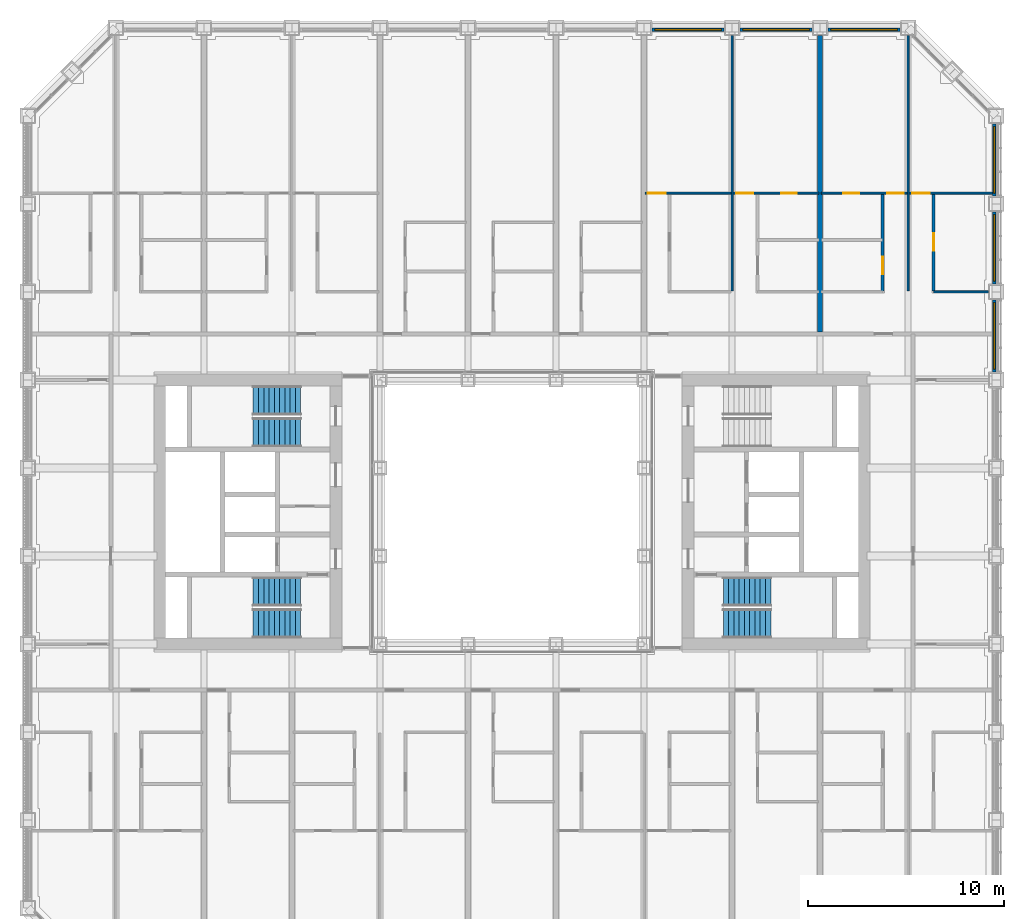
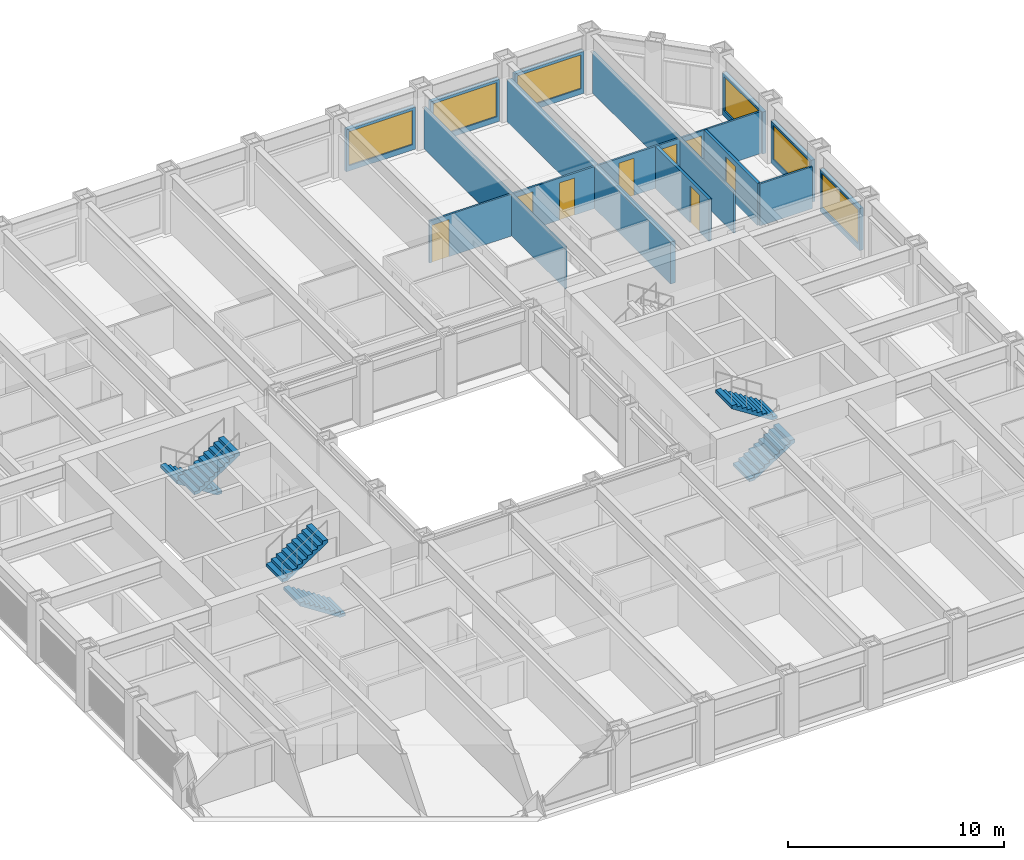
# One storey, part 15 of 21: 16 walls, 8 doors, 6 stair flights, 6 windows, 14 openings, 3 elements without a shape of their own.
"""IFC4 building model written with IfcOpenShell, lengths in metres."""

from ifc_helpers import new_model, si_unit, direction, frame, frame_2d, origin, place, context, subcontext, project, spatial, polyline, rectangle, outline, extrude, material, layer, layer_set, type_object, element, fill, aggregate, save


model = new_model("IFC4")

# Units and contexts
model_context = context("Model", 3, precision=1e-05, world=origin(), true_north=direction((0.0, 1.0)))
body_context = subcontext(model_context, "Body", "Model", "MODEL_VIEW")
ifc_project = project(units=[si_unit("LENGTHUNIT", "METRE"), si_unit("AREAUNIT", "SQUARE_METRE"), si_unit("VOLUMEUNIT", "CUBIC_METRE"), si_unit("PLANEANGLEUNIT", "RADIAN"), si_unit("MASSUNIT", "GRAM", prefix="KILO")], contexts=[model_context])

# Site, building, storey
site_placement = place(None, origin())
site = spatial("IfcSite", under=ifc_project, at=site_placement, CompositionType="ELEMENT")
building_placement = place(site_placement, origin())
building = spatial("IfcBuilding", under=site, at=building_placement, Name="Msasa Ring Tower", CompositionType="ELEMENT")
storey_placement = place(building_placement, frame((0.0, 0.0, 37.0)))
storey = spatial("IfcBuildingStorey", under=building, at=storey_placement, Name="L08", CompositionType="ELEMENT", Elevation=37.0)

# Wall, opening, window
ifc_material_1 = material(Name="Terracotta rainscreen on blockwork", Category="masonry")
ifc_layer_1 = layer(ifc_material_1, 0.199951171875)
ifc_layer_set_1 = layer_set([ifc_layer_1], Name="FW1 TERRACOTTA-LINED INFILL BAY WALL 200")
wall_type_1 = type_object("IfcWallType", Name="FW1 TERRACOTTA-LINED INFILL BAY WALL 200", PredefinedType="SOLIDWALL", material=ifc_layer_set_1)
wall_1_placement = place(storey_placement, frame((24.64990234375, 7.155029296875, 0.0), z_axis=(0.0, 0.0, 1.0), x_axis=(0.0, 1.0, 0.0)))
wall_1 = element("IfcWall", 1, at=wall_1_placement, inside=storey, type_object=wall_type_1, Name="Infill bay wall E L08 17", PredefinedType="SOLIDWALL", context=body_context, shape_type="SweptSolid", body=[
    extrude(rectangle(XDim=3.68994140625, YDim=0.199951171875, at=frame_2d((1.844970703125, 0.0))), origin(), (0.0, 0.0, 1.0), 2.37890625),
])
opening_1_placement = place(wall_1_placement, frame((0.14501953125, 0.0, 0.300048828125)))
opening_1 = element("IfcOpeningElement", 2, at=opening_1_placement, cuts=wall_1, Name="Opening WN1", PredefinedType="OPENING", context=body_context, shape_type="SweptSolid", body=[
    extrude(rectangle(XDim=3.39990234375, YDim=1.928955078125, at=frame_2d((1.699951171875, 0.96435546875))), frame((0.0, 0.10986328125, 0.0), z_axis=(0.0, -1.0, 0.0), x_axis=(1.0, 0.0, 0.0)), (0.0, 0.0, 1.0), 0.219970703125),
])
ifc_material_2 = material(Name="Aluminium frame with clear glass", Category="aluminium")
window_type = type_object("IfcWindowType", Name="WN1 RESIDENCE WINDOW 3400x1929", PartitioningType="SINGLE_PANEL", PredefinedType="WINDOW", material=ifc_material_2)
window_1_placement = place(opening_1_placement, origin())
window_1 = element("IfcWindow", 3, at=window_1_placement, inside=storey, type_object=window_type, Name="Window E L08 17", OverallHeight=1.928955078125, OverallWidth=3.39990234375, PartitioningType="SINGLE_PANEL", PredefinedType="WINDOW", context=body_context, shape_type="SweptSolid", body=[
    extrude(rectangle(XDim=3.39990234375, YDim=1.928955078125, at=frame_2d((1.699951171875, 0.96435546875))), frame((0.0, 0.030029296875, 0.0), z_axis=(0.0, -1.0, 0.0), x_axis=(1.0, 0.0, 0.0)), (0.0, 0.0, 1.0), 0.06005859375),
])
fill(opening_1, window_1)

wall_2_placement = place(storey_placement, frame((24.64990234375, 11.655029296875, 0.0), z_axis=(0.0, 0.0, 1.0), x_axis=(0.0, 1.0, 0.0)))
wall_2 = element("IfcWall", 4, at=wall_2_placement, inside=storey, type_object=wall_type_1, Name="Infill bay wall E L08 18", PredefinedType="SOLIDWALL", context=body_context, shape_type="SweptSolid", body=[
    extrude(rectangle(XDim=3.68994140625, YDim=0.199951171875, at=frame_2d((1.844970703125, 0.0))), origin(), (0.0, 0.0, 1.0), 2.37890625),
])
opening_2_placement = place(wall_2_placement, frame((0.14501953125, 0.0, 0.300048828125)))
opening_2 = element("IfcOpeningElement", 5, at=opening_2_placement, cuts=wall_2, Name="Opening WN1", PredefinedType="OPENING", context=body_context, shape_type="SweptSolid", body=[
    extrude(rectangle(XDim=3.39990234375, YDim=1.928955078125, at=frame_2d((1.699951171875, 0.96435546875))), frame((0.0, 0.10986328125, 0.0), z_axis=(0.0, -1.0, 0.0), x_axis=(1.0, 0.0, 0.0)), (0.0, 0.0, 1.0), 0.219970703125),
])
window_2_placement = place(opening_2_placement, origin())
window_2 = element("IfcWindow", 6, at=window_2_placement, inside=storey, type_object=window_type, Name="Window E L08 18", OverallHeight=1.928955078125, OverallWidth=3.39990234375, PartitioningType="SINGLE_PANEL", PredefinedType="WINDOW", context=body_context, shape_type="SweptSolid", body=[
    extrude(rectangle(XDim=3.39990234375, YDim=1.928955078125, at=frame_2d((1.699951171875, 0.96435546875))), frame((0.0, 0.030029296875, 0.0), z_axis=(0.0, -1.0, 0.0), x_axis=(1.0, 0.0, 0.0)), (0.0, 0.0, 1.0), 0.06005859375),
])
fill(opening_2, window_2)

wall_3_placement = place(storey_placement, frame((24.64990234375, 16.155029296875, 0.0), z_axis=(0.0, 0.0, 1.0), x_axis=(0.0, 1.0, 0.0)))
wall_3 = element("IfcWall", 7, at=wall_3_placement, inside=storey, type_object=wall_type_1, Name="Infill bay wall E L08 19", PredefinedType="SOLIDWALL", context=body_context, shape_type="SweptSolid", body=[
    extrude(rectangle(XDim=3.68994140625, YDim=0.199951171875, at=frame_2d((1.844970703125, 0.0))), origin(), (0.0, 0.0, 1.0), 2.37890625),
])
opening_3_placement = place(wall_3_placement, frame((0.14501953125, 0.0, 0.300048828125)))
opening_3 = element("IfcOpeningElement", 8, at=opening_3_placement, cuts=wall_3, Name="Opening WN1", PredefinedType="OPENING", context=body_context, shape_type="SweptSolid", body=[
    extrude(rectangle(XDim=3.39990234375, YDim=1.928955078125, at=frame_2d((1.699951171875, 0.96435546875))), frame((0.0, 0.10986328125, 0.0), z_axis=(0.0, -1.0, 0.0), x_axis=(1.0, 0.0, 0.0)), (0.0, 0.0, 1.0), 0.219970703125),
])
window_3_placement = place(opening_3_placement, origin())
window_3 = element("IfcWindow", 9, at=window_3_placement, inside=storey, type_object=window_type, Name="Window E L08 19", OverallHeight=1.928955078125, OverallWidth=3.39990234375, PartitioningType="SINGLE_PANEL", PredefinedType="WINDOW", context=body_context, shape_type="SweptSolid", body=[
    extrude(rectangle(XDim=3.39990234375, YDim=1.928955078125, at=frame_2d((1.699951171875, 0.96435546875))), frame((0.0, 0.030029296875, 0.0), z_axis=(0.0, -1.0, 0.0), x_axis=(1.0, 0.0, 0.0)), (0.0, 0.0, 1.0), 0.06005859375),
])
fill(opening_3, window_3)

wall_4_placement = place(storey_placement, frame((7.155029296875, 24.64990234375, 0.0), z_axis=(0.0, 0.0, 1.0), x_axis=(1.0, 0.0, 0.0)))
wall_4 = element("IfcWall", 10, at=wall_4_placement, inside=storey, type_object=wall_type_1, Name="Infill bay wall N L08 28", PredefinedType="SOLIDWALL", context=body_context, shape_type="SweptSolid", body=[
    extrude(rectangle(XDim=3.68994140625, YDim=0.199951171875, at=frame_2d((1.844970703125, 0.0))), origin(), (0.0, 0.0, 1.0), 2.37890625),
])
opening_4_placement = place(wall_4_placement, frame((0.14501953125, 0.0, 0.300048828125)))
opening_4 = element("IfcOpeningElement", 11, at=opening_4_placement, cuts=wall_4, Name="Opening WN1", PredefinedType="OPENING", context=body_context, shape_type="SweptSolid", body=[
    extrude(rectangle(XDim=3.39990234375, YDim=1.928955078125, at=frame_2d((1.699951171875, 0.96435546875))), frame((0.0, 0.10986328125, 0.0), z_axis=(0.0, -1.0, 0.0), x_axis=(1.0, 0.0, 0.0)), (0.0, 0.0, 1.0), 0.219970703125),
])
window_4_placement = place(opening_4_placement, origin())
window_4 = element("IfcWindow", 12, at=window_4_placement, inside=storey, type_object=window_type, Name="Window N L08 28", OverallHeight=1.928955078125, OverallWidth=3.39990234375, PartitioningType="SINGLE_PANEL", PredefinedType="WINDOW", context=body_context, shape_type="SweptSolid", body=[
    extrude(rectangle(XDim=3.39990234375, YDim=1.928955078125, at=frame_2d((1.699951171875, 0.96435546875))), frame((0.0, 0.030029296875, 0.0), z_axis=(0.0, -1.0, 0.0), x_axis=(1.0, 0.0, 0.0)), (0.0, 0.0, 1.0), 0.06005859375),
])
fill(opening_4, window_4)

wall_5_placement = place(storey_placement, frame((11.655029296875, 24.64990234375, 0.0), z_axis=(0.0, 0.0, 1.0), x_axis=(1.0, 0.0, 0.0)))
wall_5 = element("IfcWall", 13, at=wall_5_placement, inside=storey, type_object=wall_type_1, Name="Infill bay wall N L08 29", PredefinedType="SOLIDWALL", context=body_context, shape_type="SweptSolid", body=[
    extrude(rectangle(XDim=3.68994140625, YDim=0.199951171875, at=frame_2d((1.844970703125, 0.0))), origin(), (0.0, 0.0, 1.0), 2.37890625),
])
opening_5_placement = place(wall_5_placement, frame((0.14501953125, 0.0, 0.300048828125)))
opening_5 = element("IfcOpeningElement", 14, at=opening_5_placement, cuts=wall_5, Name="Opening WN1", PredefinedType="OPENING", context=body_context, shape_type="SweptSolid", body=[
    extrude(rectangle(XDim=3.39990234375, YDim=1.928955078125, at=frame_2d((1.699951171875, 0.96435546875))), frame((0.0, 0.10986328125, 0.0), z_axis=(0.0, -1.0, 0.0), x_axis=(1.0, 0.0, 0.0)), (0.0, 0.0, 1.0), 0.219970703125),
])
window_5_placement = place(opening_5_placement, origin())
window_5 = element("IfcWindow", 15, at=window_5_placement, inside=storey, type_object=window_type, Name="Window N L08 29", OverallHeight=1.928955078125, OverallWidth=3.39990234375, PartitioningType="SINGLE_PANEL", PredefinedType="WINDOW", context=body_context, shape_type="SweptSolid", body=[
    extrude(rectangle(XDim=3.39990234375, YDim=1.928955078125, at=frame_2d((1.699951171875, 0.96435546875))), frame((0.0, 0.030029296875, 0.0), z_axis=(0.0, -1.0, 0.0), x_axis=(1.0, 0.0, 0.0)), (0.0, 0.0, 1.0), 0.06005859375),
])
fill(opening_5, window_5)

wall_6_placement = place(storey_placement, frame((16.155029296875, 24.64990234375, 0.0), z_axis=(0.0, 0.0, 1.0), x_axis=(1.0, 0.0, 0.0)))
wall_6 = element("IfcWall", 16, at=wall_6_placement, inside=storey, type_object=wall_type_1, Name="Infill bay wall N L08 30", PredefinedType="SOLIDWALL", context=body_context, shape_type="SweptSolid", body=[
    extrude(rectangle(XDim=3.68994140625, YDim=0.199951171875, at=frame_2d((1.844970703125, 0.0))), origin(), (0.0, 0.0, 1.0), 2.37890625),
])
opening_6_placement = place(wall_6_placement, frame((0.14501953125, 0.0, 0.300048828125)))
opening_6 = element("IfcOpeningElement", 17, at=opening_6_placement, cuts=wall_6, Name="Opening WN1", PredefinedType="OPENING", context=body_context, shape_type="SweptSolid", body=[
    extrude(rectangle(XDim=3.39990234375, YDim=1.928955078125, at=frame_2d((1.699951171875, 0.96435546875))), frame((0.0, 0.10986328125, 0.0), z_axis=(0.0, -1.0, 0.0), x_axis=(1.0, 0.0, 0.0)), (0.0, 0.0, 1.0), 0.219970703125),
])
window_6_placement = place(opening_6_placement, origin())
window_6 = element("IfcWindow", 18, at=window_6_placement, inside=storey, type_object=window_type, Name="Window N L08 30", OverallHeight=1.928955078125, OverallWidth=3.39990234375, PartitioningType="SINGLE_PANEL", PredefinedType="WINDOW", context=body_context, shape_type="SweptSolid", body=[
    extrude(rectangle(XDim=3.39990234375, YDim=1.928955078125, at=frame_2d((1.699951171875, 0.96435546875))), frame((0.0, 0.030029296875, 0.0), z_axis=(0.0, -1.0, 0.0), x_axis=(1.0, 0.0, 0.0)), (0.0, 0.0, 1.0), 0.06005859375),
])
fill(opening_6, window_6)

# Wall, opening, door
ifc_material_3 = material(Name="Gypsum board on steel studs", Category="steel")
ifc_layer_2 = layer(ifc_material_3, 0.10009765625)
ifc_layer_set_2 = layer_set([ifc_layer_2], Name="PT2 STUD PARTITION 100")
wall_type_2 = type_object("IfcWallType", Name="PT2 STUD PARTITION 100", PredefinedType="PARTITIONING", material=ifc_layer_set_2)
wall_7_placement = place(storey_placement, frame((6.81005859375, 16.300048828125, 0.0), z_axis=(0.0, 0.0, 1.0), x_axis=(1.0, 0.0, 0.0)))
wall_7 = element("IfcWall", 19, at=wall_7_placement, inside=storey, type_object=wall_type_2, Name="Partition L08-UN05SY0", PredefinedType="PARTITIONING", context=body_context, shape_type="SweptSolid", body=[
    extrude(rectangle(XDim=4.389892578125, YDim=0.10009765625, at=frame_2d((2.19482421875, 0.0))), origin(), (0.0, 0.0, 1.0), 2.373291015625),
])
opening_7_placement = place(wall_7_placement, frame((0.139892578125, 0.0, 0.0)))
opening_7 = element("IfcOpeningElement", 20, at=opening_7_placement, cuts=wall_7, Name="Opening RB-007", PredefinedType="OPENING", context=body_context, shape_type="SweptSolid", body=[
    extrude(rectangle(XDim=0.89990234375, YDim=2.10009765625, at=frame_2d((0.449951171875, 1.050048828125))), frame((0.0, 0.06005859375, 0.0), z_axis=(0.0, -1.0, 0.0), x_axis=(1.0, 0.0, 0.0)), (0.0, 0.0, 1.0), 0.1201171875),
])
ifc_material_4 = material(Name="Timber door leaf in a steel frame", Category="steel")
door_type_1 = type_object("IfcDoorType", Name="D22 INTERNAL HALL DOOR 900x2100", OperationType="SINGLE_SWING_LEFT", PredefinedType="DOOR", material=ifc_material_4)
door_1_placement = place(opening_7_placement, origin())
door_1 = element("IfcDoor", 21, at=door_1_placement, inside=storey, type_object=door_type_1, Name="Door L08-UN05L", OperationType="SINGLE_SWING_LEFT", OverallHeight=2.10009765625, OverallWidth=0.89990234375, PredefinedType="DOOR", context=body_context, shape_type="SweptSolid", body=[
    extrude(rectangle(XDim=0.89990234375, YDim=2.10009765625, at=frame_2d((0.449951171875, 1.050048828125))), frame((0.0, 0.02490234375, 0.0), z_axis=(0.0, -1.0, 0.0), x_axis=(1.0, 0.0, 0.0)), (0.0, 0.0, 1.0), 0.050048828125),
])
fill(opening_7, door_1)

# Wall
wall_8_placement = place(storey_placement, frame((11.25, 11.300048828125, 0.0), z_axis=(0.0, 0.0, 1.0), x_axis=(0.0, 1.0, 0.0)))
element("IfcWall", 22, at=wall_8_placement, inside=storey, type_object=wall_type_2, Name="Partition L08-UN05P1", PredefinedType="PARTITIONING", context=body_context, shape_type="SweptSolid", body=[
    extrude(rectangle(XDim=13.050048828125, YDim=0.10009765625, at=frame_2d((6.52490234375, 0.0))), origin(), (0.0, 0.0, 1.0), 2.373291015625),
])

# Wall, openings, doors
wall_9_placement = place(storey_placement, frame((11.300048828125, 16.300048828125, 0.0), z_axis=(0.0, 0.0, 1.0), x_axis=(1.0, 0.0, 0.0)))
wall_9 = element("IfcWall", 23, at=wall_9_placement, inside=storey, type_object=wall_type_2, Name="Partition L08-UN05SY1", PredefinedType="PARTITIONING", context=body_context, shape_type="SweptSolid", body=[
    extrude(rectangle(XDim=4.389892578125, YDim=0.10009765625, at=frame_2d((2.19482421875, 0.0))), origin(), (0.0, 0.0, 1.0), 2.373291015625),
])
opening_8_placement = place(wall_9_placement, frame((0.175048828125, 0.0, 0.0)))
opening_8 = element("IfcOpeningElement", 24, at=opening_8_placement, cuts=wall_9, Name="Opening RB-008", PredefinedType="OPENING", context=body_context, shape_type="SweptSolid", body=[
    extrude(rectangle(XDim=0.85009765625, YDim=2.10009765625, at=frame_2d((0.425048828125, 1.050048828125))), frame((0.0, 0.06005859375, 0.0), z_axis=(0.0, -1.0, 0.0), x_axis=(1.0, 0.0, 0.0)), (0.0, 0.0, 1.0), 0.1201171875),
])
opening_9_placement = place(wall_9_placement, frame((2.4599609375, 0.0, 0.0)))
opening_9 = element("IfcOpeningElement", 25, at=opening_9_placement, cuts=wall_9, Name="Opening RB-009", PredefinedType="OPENING", context=body_context, shape_type="SweptSolid", body=[
    extrude(rectangle(XDim=0.800048828125, YDim=2.10009765625, at=frame_2d((0.39990234375, 1.050048828125))), frame((0.0, 0.06005859375, 0.0), z_axis=(0.0, -1.0, 0.0), x_axis=(1.0, 0.0, 0.0)), (0.0, 0.0, 1.0), 0.1201171875),
])
ifc_material_5 = material(Name="Timber door leaf in a steel frame", Category="steel")
door_type_2 = type_object("IfcDoorType", Name="D14 BEDROOM DOOR 850x2100", OperationType="SINGLE_SWING_LEFT", PredefinedType="DOOR", material=ifc_material_5)
door_2_placement = place(opening_8_placement, origin())
door_2 = element("IfcDoor", 26, at=door_2_placement, inside=storey, type_object=door_type_2, Name="Door L08-UN05R1", OperationType="SINGLE_SWING_LEFT", OverallHeight=2.10009765625, OverallWidth=0.85009765625, PredefinedType="DOOR", context=body_context, shape_type="SweptSolid", body=[
    extrude(rectangle(XDim=0.85009765625, YDim=2.10009765625, at=frame_2d((0.425048828125, 1.050048828125))), frame((0.0, 0.02490234375, 0.0), z_axis=(0.0, -1.0, 0.0), x_axis=(1.0, 0.0, 0.0)), (0.0, 0.0, 1.0), 0.050048828125),
])
fill(opening_8, door_2)
ifc_material_6 = material(Name="Timber door leaf in a steel frame", Category="steel")
door_type_3 = type_object("IfcDoorType", Name="D60 DRESSING ROOM DOOR 800x2100", OperationType="SINGLE_SWING_LEFT", PredefinedType="DOOR", material=ifc_material_6)
door_3_placement = place(opening_9_placement, origin())
door_3 = element("IfcDoor", 27, at=door_3_placement, inside=storey, type_object=door_type_3, Name="Door L08-UN05W1", OperationType="SINGLE_SWING_RIGHT", OverallHeight=2.10009765625, OverallWidth=0.800048828125, PredefinedType="DOOR", context=body_context, shape_type="SweptSolid", body=[
    extrude(rectangle(XDim=0.800048828125, YDim=2.10009765625, at=frame_2d((0.39990234375, 1.050048828125))), frame((0.0, 0.02490234375, 0.0), z_axis=(0.0, -1.0, 0.0), x_axis=(1.0, 0.0, 0.0)), (0.0, 0.0, 1.0), 0.050048828125),
])
fill(opening_9, door_3)

# Wall
wall_10_placement = place(storey_placement, frame((21.550048828125, 11.25, 0.0), z_axis=(0.0, 0.0, 1.0), x_axis=(1.0, 0.0, 0.0)))
element("IfcWall", 28, at=wall_10_placement, inside=storey, type_object=wall_type_2, Name="Partition L08-UN06HY0", PredefinedType="PARTITIONING", context=body_context, shape_type="SweptSolid", body=[
    extrude(rectangle(XDim=2.800048828125, YDim=0.10009765625, at=frame_2d((1.39990234375, 0.0))), origin(), (0.0, 0.0, 1.0), 2.373291015625),
])

# Wall, opening, door
wall_11_placement = place(storey_placement, frame((20.300048828125, 16.300048828125, 0.0), z_axis=(0.0, 0.0, 1.0), x_axis=(1.0, 0.0, 0.0)))
wall_11 = element("IfcWall", 29, at=wall_11_placement, inside=storey, type_object=wall_type_2, Name="Partition L08-UN06SY0", PredefinedType="PARTITIONING", context=body_context, shape_type="SweptSolid", body=[
    extrude(rectangle(XDim=4.25, YDim=0.10009765625, at=frame_2d((2.125, 0.0))), origin(), (0.0, 0.0, 1.0), 2.373291015625),
])
opening_10_placement = place(wall_11_placement, frame((0.14990234375, 0.0, 0.0)))
opening_10 = element("IfcOpeningElement", 30, at=opening_10_placement, cuts=wall_11, Name="Opening RB-012", PredefinedType="OPENING", context=body_context, shape_type="SweptSolid", body=[
    extrude(rectangle(XDim=0.89990234375, YDim=2.10009765625, at=frame_2d((0.449951171875, 1.050048828125))), frame((0.0, 0.06005859375, 0.0), z_axis=(0.0, -1.0, 0.0), x_axis=(1.0, 0.0, 0.0)), (0.0, 0.0, 1.0), 0.1201171875),
])
door_4_placement = place(opening_10_placement, origin())
door_4 = element("IfcDoor", 31, at=door_4_placement, inside=storey, type_object=door_type_1, Name="Door L08-UN06L", OperationType="SINGLE_SWING_LEFT", OverallHeight=2.10009765625, OverallWidth=0.89990234375, PredefinedType="DOOR", context=body_context, shape_type="SweptSolid", body=[
    extrude(rectangle(XDim=0.89990234375, YDim=2.10009765625, at=frame_2d((0.449951171875, 1.050048828125))), frame((0.0, 0.02490234375, 0.0), z_axis=(0.0, -1.0, 0.0), x_axis=(1.0, 0.0, 0.0)), (0.0, 0.0, 1.0), 0.050048828125),
])
fill(opening_10, door_4)

# Wall
wall_12_placement = place(storey_placement, frame((20.25, 11.300048828125, 0.0), z_axis=(0.0, 0.0, 1.0), x_axis=(0.0, 1.0, 0.0)))
element("IfcWall", 32, at=wall_12_placement, inside=storey, type_object=wall_type_2, Name="Partition L08-UN06P1", PredefinedType="PARTITIONING", context=body_context, shape_type="SweptSolid", body=[
    extrude(rectangle(XDim=13.050048828125, YDim=0.10009765625, at=frame_2d((6.52490234375, 0.0))), origin(), (0.0, 0.0, 1.0), 2.373291015625),
])

# Wall, openings, doors
wall_13_placement = place(storey_placement, frame((15.81005859375, 16.300048828125, 0.0), z_axis=(0.0, 0.0, 1.0), x_axis=(1.0, 0.0, 0.0)))
wall_13 = element("IfcWall", 33, at=wall_13_placement, inside=storey, type_object=wall_type_2, Name="Partition L08-UN06SY1", PredefinedType="PARTITIONING", context=body_context, shape_type="SweptSolid", body=[
    extrude(rectangle(XDim=4.389892578125, YDim=0.10009765625, at=frame_2d((2.19482421875, 0.0))), origin(), (0.0, 0.0, 1.0), 2.373291015625),
])
opening_11_placement = place(wall_13_placement, frame((3.364990234375, 0.0, 0.0)))
opening_11 = element("IfcOpeningElement", 34, at=opening_11_placement, cuts=wall_13, Name="Opening RB-011", PredefinedType="OPENING", context=body_context, shape_type="SweptSolid", body=[
    extrude(rectangle(XDim=0.85009765625, YDim=2.10009765625, at=frame_2d((0.425048828125, 1.050048828125))), frame((0.0, 0.06005859375, 0.0), z_axis=(0.0, -1.0, 0.0), x_axis=(1.0, 0.0, 0.0)), (0.0, 0.0, 1.0), 0.1201171875),
])
opening_12_placement = place(wall_13_placement, frame((1.1298828125, 0.0, 0.0)))
opening_12 = element("IfcOpeningElement", 35, at=opening_12_placement, cuts=wall_13, Name="Opening RB-010", PredefinedType="OPENING", context=body_context, shape_type="SweptSolid", body=[
    extrude(rectangle(XDim=0.800048828125, YDim=2.10009765625, at=frame_2d((0.39990234375, 1.050048828125))), frame((0.0, 0.06005859375, 0.0), z_axis=(0.0, -1.0, 0.0), x_axis=(1.0, 0.0, 0.0)), (0.0, 0.0, 1.0), 0.1201171875),
])
door_5_placement = place(opening_11_placement, origin())
door_5 = element("IfcDoor", 36, at=door_5_placement, inside=storey, type_object=door_type_2, Name="Door L08-UN06R1", OperationType="SINGLE_SWING_RIGHT", OverallHeight=2.10009765625, OverallWidth=0.85009765625, PredefinedType="DOOR", context=body_context, shape_type="SweptSolid", body=[
    extrude(rectangle(XDim=0.85009765625, YDim=2.10009765625, at=frame_2d((0.425048828125, 1.050048828125))), frame((0.0, 0.02490234375, 0.0), z_axis=(0.0, -1.0, 0.0), x_axis=(1.0, 0.0, 0.0)), (0.0, 0.0, 1.0), 0.050048828125),
])
fill(opening_11, door_5)
door_6_placement = place(opening_12_placement, origin())
door_6 = element("IfcDoor", 37, at=door_6_placement, inside=storey, type_object=door_type_3, Name="Door L08-UN06W1", OperationType="SINGLE_SWING_LEFT", OverallHeight=2.10009765625, OverallWidth=0.800048828125, PredefinedType="DOOR", context=body_context, shape_type="SweptSolid", body=[
    extrude(rectangle(XDim=0.800048828125, YDim=2.10009765625, at=frame_2d((0.39990234375, 1.050048828125))), frame((0.0, 0.02490234375, 0.0), z_axis=(0.0, -1.0, 0.0), x_axis=(1.0, 0.0, 0.0)), (0.0, 0.0, 1.0), 0.050048828125),
])
fill(opening_12, door_6)

# Wall
ifc_material_7 = material(Name="Dense concrete blockwork, plastered both faces", Category="masonry")
ifc_layer_3 = layer(ifc_material_7, 0.25)
ifc_layer_set_3 = layer_set([ifc_layer_3], Name="PT3 APARTMENT SEPARATING WALL 250")
wall_type_3 = type_object("IfcWallType", Name="PT3 APARTMENT SEPARATING WALL 250", PredefinedType="PARTITIONING", material=ifc_layer_set_3)
wall_14_placement = place(storey_placement, frame((15.75, 9.199951171875, 0.0), z_axis=(0.0, 0.0, 1.0), x_axis=(0.0, 1.0, 0.0)))
element("IfcWall", 38, at=wall_14_placement, inside=storey, type_object=wall_type_3, Name="Party wall L08-PWN+15.75", PredefinedType="PARTITIONING", context=body_context, shape_type="SweptSolid", body=[
    extrude(rectangle(XDim=15.150146484375, YDim=0.25, at=frame_2d((7.5751953125, 0.0))), origin(), (0.0, 0.0, 1.0), 2.373291015625),
])

# Wall, opening, door
ifc_material_8 = material(Name="Moisture-resistant board on steel studs with a concealed cistern and pipe void, tiled", Category="steel")
ifc_layer_4 = layer(ifc_material_8, 0.14990234375)
ifc_layer_set_4 = layer_set([ifc_layer_4], Name="PT4 BATHROOM WET WALL 150")
wall_type_4 = type_object("IfcWallType", Name="PT4 BATHROOM WET WALL 150", PredefinedType="PARTITIONING", material=ifc_layer_set_4)
wall_15_placement = place(storey_placement, frame((21.550048828125, 11.300048828125, 0.0), z_axis=(0.0, 0.0, 1.0), x_axis=(0.0, 1.0, 0.0)))
wall_15 = element("IfcWall", 39, at=wall_15_placement, inside=storey, type_object=wall_type_4, Name="Partition L08-UN06SX0", PredefinedType="PARTITIONING", context=body_context, shape_type="SweptSolid", body=[
    extrude(rectangle(XDim=5.0, YDim=0.14990234375, at=frame_2d((2.5, 0.0))), origin(), (0.0, 0.0, 1.0), 2.373291015625),
])
opening_13_placement = place(wall_15_placement, frame((2.050048828125, 0.0, 0.0)))
opening_13 = element("IfcOpeningElement", 40, at=opening_13_placement, cuts=wall_15, Name="Opening RB-016", PredefinedType="OPENING", context=body_context, shape_type="SweptSolid", body=[
    extrude(rectangle(XDim=0.89990234375, YDim=2.10009765625, at=frame_2d((0.449951171875, 1.050048828125))), frame((0.0, 0.0849609375, 0.0), z_axis=(0.0, -1.0, 0.0), x_axis=(1.0, 0.0, 0.0)), (0.0, 0.0, 1.0), 0.169921875),
])
door_7_placement = place(opening_13_placement, origin())
door_7 = element("IfcDoor", 41, at=door_7_placement, inside=storey, type_object=door_type_1, Name="Door L08-UN06K", OperationType="SINGLE_SWING_LEFT", OverallHeight=2.10009765625, OverallWidth=0.89990234375, PredefinedType="DOOR", context=body_context, shape_type="SweptSolid", body=[
    extrude(rectangle(XDim=0.89990234375, YDim=2.10009765625, at=frame_2d((0.449951171875, 1.050048828125))), frame((0.0, 0.02490234375, 0.0), z_axis=(0.0, -1.0, 0.0), x_axis=(1.0, 0.0, 0.0)), (0.0, 0.0, 1.0), 0.050048828125),
])
fill(opening_13, door_7)

wall_16_placement = place(storey_placement, frame((18.949951171875, 11.300048828125, 0.0), z_axis=(0.0, 0.0, 1.0), x_axis=(0.0, 1.0, 0.0)))
wall_16 = element("IfcWall", 42, at=wall_16_placement, inside=storey, type_object=wall_type_4, Name="Partition L08-UN06SX1", PredefinedType="PARTITIONING", context=body_context, shape_type="SweptSolid", body=[
    extrude(rectangle(XDim=5.0, YDim=0.14990234375, at=frame_2d((2.5, 0.0))), origin(), (0.0, 0.0, 1.0), 2.373291015625),
])
opening_14_placement = place(wall_16_placement, frame((0.85009765625, 0.0, 0.0)))
opening_14 = element("IfcOpeningElement", 43, at=opening_14_placement, cuts=wall_16, Name="Opening RB-023", PredefinedType="OPENING", context=body_context, shape_type="SweptSolid", body=[
    extrude(rectangle(XDim=0.89990234375, YDim=2.10009765625, at=frame_2d((0.449951171875, 1.050048828125))), frame((0.0, 0.0849609375, 0.0), z_axis=(0.0, -1.0, 0.0), x_axis=(1.0, 0.0, 0.0)), (0.0, 0.0, 1.0), 0.169921875),
])
ifc_material_9 = material(Name="Timber door leaf in a steel frame", Category="steel")
door_type_4 = type_object("IfcDoorType", Name="D3 BATHROOM DOOR 900x2100", OperationType="SINGLE_SWING_LEFT", PredefinedType="DOOR", material=ifc_material_9)
door_8_placement = place(opening_14_placement, origin())
door_8 = element("IfcDoor", 44, at=door_8_placement, inside=storey, type_object=door_type_4, Name="Door L08-UN06B1", OperationType="SINGLE_SWING_LEFT", OverallHeight=2.10009765625, OverallWidth=0.89990234375, PredefinedType="DOOR", context=body_context, shape_type="SweptSolid", body=[
    extrude(rectangle(XDim=0.89990234375, YDim=2.10009765625, at=frame_2d((0.449951171875, 1.050048828125))), frame((0.0, 0.02490234375, 0.0), z_axis=(0.0, -1.0, 0.0), x_axis=(1.0, 0.0, 0.0)), (0.0, 0.0, 1.0), 0.050048828125),
])
fill(opening_14, door_8)

# Stair, stair flights
ifc_material_10 = material(Name="Concrete C40/50", Category="concrete")
stair_type = type_object("IfcStairType", Name="STC CORE STAIR 20 RISERS 175", PredefinedType="HALF_TURN_STAIR", material=ifc_material_10)
stair_1_placement = place(storey_placement, origin())
stair_1 = element("IfcStair", 45, at=stair_1_placement, inside=storey, type_object=stair_type, Name="Core stair SEA L08", PredefinedType="HALF_TURN_STAIR")
ifc_material_11 = material(Name="Concrete C40/50", Category="concrete")
stair_flight_type = type_object("IfcStairFlightType", Name="ST12 CORE STAIR FLIGHT 1500 10 RISERS 175", PredefinedType="STRAIGHT", material=ifc_material_11)
stair_flight_1_placement = place(storey_placement, frame((10.800048828125, -5.699951171875, 0.0), z_axis=(0.0, 0.0, 1.0), x_axis=(1.0, 0.0, 0.0)))
stair_flight_1 = element("IfcStairFlight", 46, at=stair_flight_1_placement, type_object=stair_flight_type, Name="SEA flight 1", NumberOfRisers=10, NumberOfTreads=9, PredefinedType="STRAIGHT", RiserHeight=0.175, TreadLength=0.27, context=body_context, shape_type="SweptSolid", body=[
    extrude(outline(polyline([(0.0, 0.0), (0.0, 0.175048828125), (0.27001953125, 0.175048828125), (0.27001953125, 0.35009765625), (0.5400390625, 0.35009765625), (0.5400390625, 0.52490234375), (0.81005859375, 0.52490234375), (0.81005859375, 0.699951171875), (1.080078125, 0.699951171875), (1.080078125, 0.875), (1.35009765625, 0.875), (1.35009765625, 1.050048828125), (1.6201171875, 1.050048828125), (1.6201171875, 1.22509765625), (1.889892578125, 1.22509765625), (1.889892578125, 1.39990234375), (2.159912109375, 1.39990234375), (2.159912109375, 1.574951171875), (2.429931640625, 1.574951171875), (2.429931640625, 1.75), (2.429931640625, 1.396484375), (0.275634765625, 0.0), (0.0, 0.0)])), frame((0.0, 0.75, 0.0), z_axis=(0.0, -1.0, 0.0), x_axis=(1.0, 0.0, 0.0)), (0.0, 0.0, 1.0), 1.5),
])
stair_flight_2_placement = place(storey_placement, frame((13.22998046875, -4.074951171875, 1.75), z_axis=(0.0, 0.0, 1.0), x_axis=(-1.0, 0.0, 0.0)))
stair_flight_2 = element("IfcStairFlight", 47, at=stair_flight_2_placement, type_object=stair_flight_type, Name="SEA flight 2", NumberOfRisers=10, NumberOfTreads=9, PredefinedType="STRAIGHT", RiserHeight=0.175, TreadLength=0.27, context=body_context, shape_type="SweptSolid", body=[
    extrude(outline(polyline([(0.0, 0.0), (0.0, 0.175048828125), (0.27001953125, 0.175048828125), (0.27001953125, 0.35009765625), (0.5400390625, 0.35009765625), (0.5400390625, 0.52490234375), (0.81005859375, 0.52490234375), (0.81005859375, 0.699951171875), (1.080078125, 0.699951171875), (1.080078125, 0.875), (1.35009765625, 0.875), (1.35009765625, 1.050048828125), (1.6201171875, 1.050048828125), (1.6201171875, 1.22509765625), (1.889892578125, 1.22509765625), (1.889892578125, 1.39990234375), (2.159912109375, 1.39990234375), (2.159912109375, 1.574951171875), (2.429931640625, 1.574951171875), (2.429931640625, 1.75), (2.429931640625, 1.396484375), (0.275634765625, 0.0), (0.0, 0.0)])), frame((0.0, 0.75, 0.0), z_axis=(0.0, -1.0, 0.0), x_axis=(1.0, 0.0, 0.0)), (0.0, 0.0, 1.0), 1.5),
])
aggregate(stair_1, [stair_flight_1, stair_flight_2])

stair_2_placement = place(storey_placement, origin())
stair_2 = element("IfcStair", 48, at=stair_2_placement, inside=storey, type_object=stair_type, Name="Core stair SWA L08", PredefinedType="HALF_TURN_STAIR")
stair_flight_3_placement = place(storey_placement, frame((-10.800048828125, -5.699951171875, 0.0), z_axis=(0.0, 0.0, 1.0), x_axis=(-1.0, 0.0, 0.0)))
stair_flight_3 = element("IfcStairFlight", 49, at=stair_flight_3_placement, type_object=stair_flight_type, Name="SWA flight 1", NumberOfRisers=10, NumberOfTreads=9, PredefinedType="STRAIGHT", RiserHeight=0.175, TreadLength=0.27, context=body_context, shape_type="SweptSolid", body=[
    extrude(outline(polyline([(0.0, 0.0), (0.0, 0.175048828125), (0.27001953125, 0.175048828125), (0.27001953125, 0.35009765625), (0.5400390625, 0.35009765625), (0.5400390625, 0.52490234375), (0.81005859375, 0.52490234375), (0.81005859375, 0.699951171875), (1.080078125, 0.699951171875), (1.080078125, 0.875), (1.35009765625, 0.875), (1.35009765625, 1.050048828125), (1.6201171875, 1.050048828125), (1.6201171875, 1.22509765625), (1.889892578125, 1.22509765625), (1.889892578125, 1.39990234375), (2.159912109375, 1.39990234375), (2.159912109375, 1.574951171875), (2.429931640625, 1.574951171875), (2.429931640625, 1.75), (2.429931640625, 1.396484375), (0.275634765625, 0.0), (0.0, 0.0)])), frame((0.0, 0.75, 0.0), z_axis=(0.0, -1.0, 0.0), x_axis=(1.0, 0.0, 0.0)), (0.0, 0.0, 1.0), 1.5),
])
stair_flight_4_placement = place(storey_placement, frame((-13.22998046875, -4.074951171875, 1.75), z_axis=(0.0, 0.0, 1.0), x_axis=(1.0, 0.0, 0.0)))
stair_flight_4 = element("IfcStairFlight", 50, at=stair_flight_4_placement, type_object=stair_flight_type, Name="SWA flight 2", NumberOfRisers=10, NumberOfTreads=9, PredefinedType="STRAIGHT", RiserHeight=0.175, TreadLength=0.27, context=body_context, shape_type="SweptSolid", body=[
    extrude(outline(polyline([(0.0, 0.0), (0.0, 0.175048828125), (0.27001953125, 0.175048828125), (0.27001953125, 0.35009765625), (0.5400390625, 0.35009765625), (0.5400390625, 0.52490234375), (0.81005859375, 0.52490234375), (0.81005859375, 0.699951171875), (1.080078125, 0.699951171875), (1.080078125, 0.875), (1.35009765625, 0.875), (1.35009765625, 1.050048828125), (1.6201171875, 1.050048828125), (1.6201171875, 1.22509765625), (1.889892578125, 1.22509765625), (1.889892578125, 1.39990234375), (2.159912109375, 1.39990234375), (2.159912109375, 1.574951171875), (2.429931640625, 1.574951171875), (2.429931640625, 1.75), (2.429931640625, 1.396484375), (0.275634765625, 0.0), (0.0, 0.0)])), frame((0.0, 0.75, 0.0), z_axis=(0.0, -1.0, 0.0), x_axis=(1.0, 0.0, 0.0)), (0.0, 0.0, 1.0), 1.5),
])
aggregate(stair_2, [stair_flight_3, stair_flight_4])

stair_3_placement = place(storey_placement, origin())
stair_3 = element("IfcStair", 51, at=stair_3_placement, inside=storey, type_object=stair_type, Name="Core stair SWB L08", PredefinedType="HALF_TURN_STAIR")
stair_flight_5_placement = place(storey_placement, frame((-10.800048828125, 5.699951171875, 0.0), z_axis=(0.0, 0.0, 1.0), x_axis=(-1.0, 0.0, 0.0)))
stair_flight_5 = element("IfcStairFlight", 52, at=stair_flight_5_placement, type_object=stair_flight_type, Name="SWB flight 1", NumberOfRisers=10, NumberOfTreads=9, PredefinedType="STRAIGHT", RiserHeight=0.175, TreadLength=0.27, context=body_context, shape_type="SweptSolid", body=[
    extrude(outline(polyline([(0.0, 0.0), (0.0, 0.175048828125), (0.27001953125, 0.175048828125), (0.27001953125, 0.35009765625), (0.5400390625, 0.35009765625), (0.5400390625, 0.52490234375), (0.81005859375, 0.52490234375), (0.81005859375, 0.699951171875), (1.080078125, 0.699951171875), (1.080078125, 0.875), (1.35009765625, 0.875), (1.35009765625, 1.050048828125), (1.6201171875, 1.050048828125), (1.6201171875, 1.22509765625), (1.889892578125, 1.22509765625), (1.889892578125, 1.39990234375), (2.159912109375, 1.39990234375), (2.159912109375, 1.574951171875), (2.429931640625, 1.574951171875), (2.429931640625, 1.75), (2.429931640625, 1.396484375), (0.275634765625, 0.0), (0.0, 0.0)])), frame((0.0, 0.75, 0.0), z_axis=(0.0, -1.0, 0.0), x_axis=(1.0, 0.0, 0.0)), (0.0, 0.0, 1.0), 1.5),
])
stair_flight_6_placement = place(storey_placement, frame((-13.22998046875, 4.074951171875, 1.75), z_axis=(0.0, 0.0, 1.0), x_axis=(1.0, 0.0, 0.0)))
stair_flight_6 = element("IfcStairFlight", 53, at=stair_flight_6_placement, type_object=stair_flight_type, Name="SWB flight 2", NumberOfRisers=10, NumberOfTreads=9, PredefinedType="STRAIGHT", RiserHeight=0.175, TreadLength=0.27, context=body_context, shape_type="SweptSolid", body=[
    extrude(outline(polyline([(0.0, 0.0), (0.0, 0.175048828125), (0.27001953125, 0.175048828125), (0.27001953125, 0.35009765625), (0.5400390625, 0.35009765625), (0.5400390625, 0.52490234375), (0.81005859375, 0.52490234375), (0.81005859375, 0.699951171875), (1.080078125, 0.699951171875), (1.080078125, 0.875), (1.35009765625, 0.875), (1.35009765625, 1.050048828125), (1.6201171875, 1.050048828125), (1.6201171875, 1.22509765625), (1.889892578125, 1.22509765625), (1.889892578125, 1.39990234375), (2.159912109375, 1.39990234375), (2.159912109375, 1.574951171875), (2.429931640625, 1.574951171875), (2.429931640625, 1.75), (2.429931640625, 1.396484375), (0.275634765625, 0.0), (0.0, 0.0)])), frame((0.0, 0.75, 0.0), z_axis=(0.0, -1.0, 0.0), x_axis=(1.0, 0.0, 0.0)), (0.0, 0.0, 1.0), 1.5),
])
aggregate(stair_3, [stair_flight_5, stair_flight_6])

save(model, "model.ifc")
